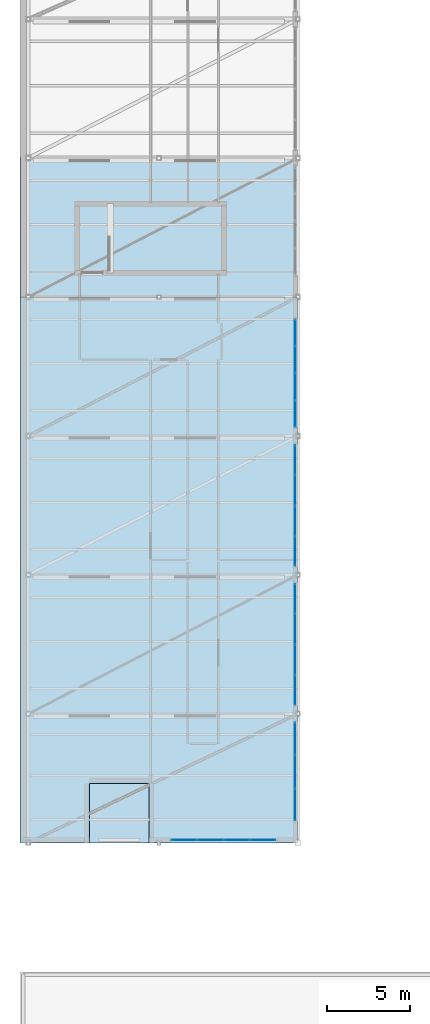
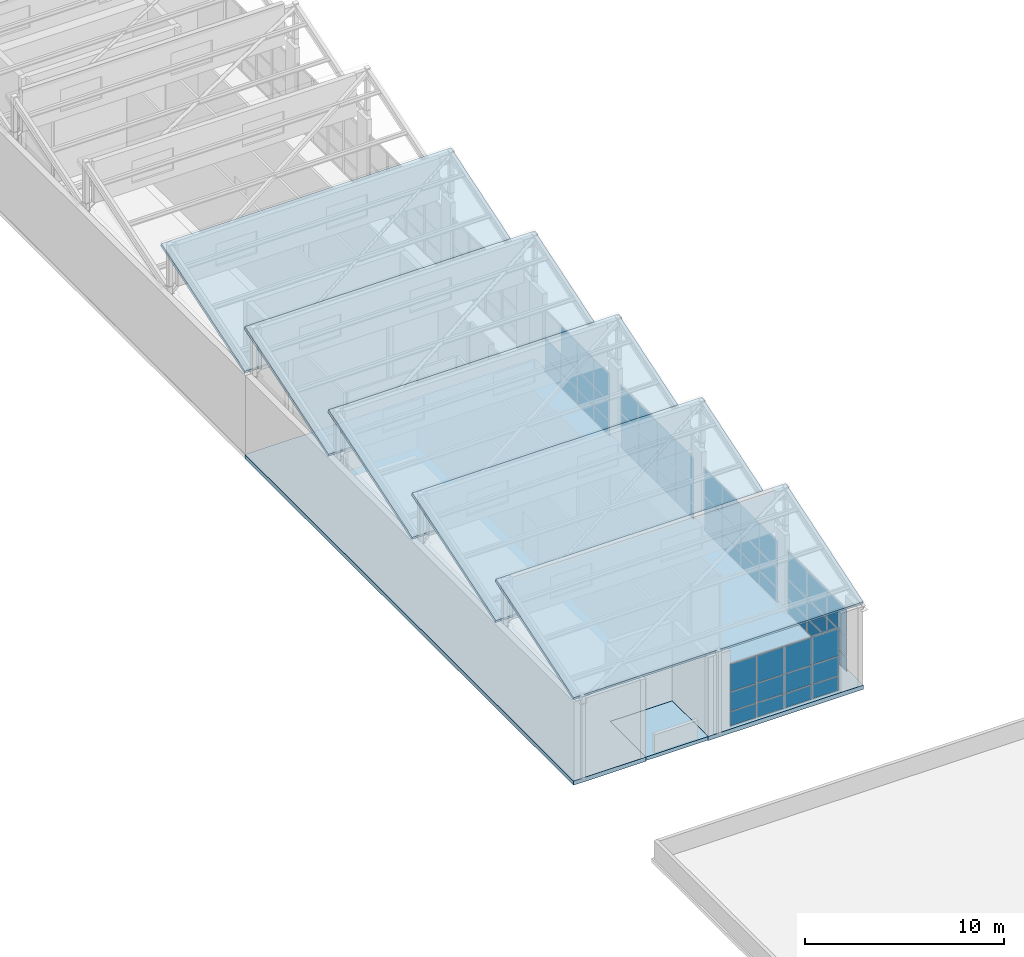
# One storey, part 21 of 34: 56 plates, 7 slabs, 5 elements without a shape of their own.
"""IFC4 building model written with IfcOpenShell, lengths in metres."""

from ifc_helpers import new_model, si_unit, direction, frame, origin, origin_2d, place, context, subcontext, project, spatial, polyline, rectangle, outline, extrude, material, layer, layer_set, type_object, element, aggregate, save


model = new_model("IFC4")

# Units and contexts
model_context = context("Model", 3, precision=1e-05, world=origin(), true_north=direction((0.0, 1.0)))
body_context = subcontext(model_context, "Body", "Model", "MODEL_VIEW")
ifc_project = project(units=[si_unit("LENGTHUNIT", "METRE"), si_unit("AREAUNIT", "SQUARE_METRE"), si_unit("VOLUMEUNIT", "CUBIC_METRE"), si_unit("PLANEANGLEUNIT", "RADIAN"), si_unit("MASSUNIT", "GRAM", prefix="KILO")], contexts=[model_context])

# Site, building, storey
site_placement = place(None, origin())
site = spatial("IfcSite", under=ifc_project, at=site_placement, CompositionType="ELEMENT")
building_placement = place(site_placement, origin())
building = spatial("IfcBuilding", under=site, at=building_placement, Name="Quendrovan Civic Courthouse", CompositionType="ELEMENT")
storey_placement = place(building_placement, frame((0.0, 0.0, 25.5)))
storey = spatial("IfcBuildingStorey", under=building, at=storey_placement, Name="L06", CompositionType="ELEMENT", Elevation=25.5)

# Curtain wall, plates
ifc_material_1 = material(Name="Bronze anodised aluminium and low-E glass", Category="aluminium")
ifc_layer_1 = layer(ifc_material_1, 0.179931640625, Name="Bronze anodised aluminium and low-E glass")
ifc_layer_set_1 = layer_set([ifc_layer_1], Name="Bronze anodised aluminium and low-E glass")
curtain_wall_type_1 = type_object("IfcCurtainWallType", Name="CW-U74x39", PredefinedType="USERDEFINED", material=ifc_layer_set_1)
curtain_wall_1_placement = place(storey_placement, origin())
curtain_wall_1 = element("IfcCurtainWall", 1, at=curtain_wall_1_placement, inside=storey, type_object=curtain_wall_type_1, Name="L06 Unitised Hurricane Curtain Wall CW-212", ObjectType="UNITISED CURTAIN WALL", PredefinedType="USERDEFINED")
ifc_material_2 = material(Name="Laminated hurricane-impact low-E glass", Category="glass")
ifc_layer_2 = layer(ifc_material_2, 0.028076171875, Name="Laminated hurricane-impact low-E glass")
ifc_layer_set_2 = layer_set([ifc_layer_2], Name="Laminated hurricane-impact low-E glass")
plate_type_1 = type_object("IfcPlateType", Name="CW-PNL-1", PredefinedType="CURTAIN_PANEL", material=ifc_layer_set_2)
plate_1_placement = place(storey_placement, frame((16.635009765625, 46.555908203125, 0.06982421875), z_axis=(0.0, 0.0, 1.0), x_axis=(0.0, -1.0, 0.0)))
plate_1 = element("IfcPlate", 2, at=plate_1_placement, type_object=plate_type_1, Name="CW-212 panel 1.1", PredefinedType="CURTAIN_PANEL", context=body_context, shape_type="SweptSolid", body=[
    extrude(rectangle(XDim=1.748291015625, YDim=0.028076171875, at=origin_2d()), origin(), (0.0, 0.0, 1.0), 0.844970703125),
])
plate_2_placement = place(storey_placement, frame((16.635009765625, 46.555908203125, 0.985107421875), z_axis=(0.0, 0.0, 1.0), x_axis=(0.0, -1.0, 0.0)))
plate_2 = element("IfcPlate", 3, at=plate_2_placement, type_object=plate_type_1, Name="CW-212 panel 1.2", PredefinedType="CURTAIN_PANEL", context=body_context, shape_type="SweptSolid", body=[
    extrude(rectangle(XDim=1.748291015625, YDim=0.028076171875, at=origin_2d()), origin(), (0.0, 0.0, 1.0), 1.1298828125),
])
plate_3_placement = place(storey_placement, frame((16.635009765625, 46.555908203125, 2.18505859375), z_axis=(0.0, 0.0, 1.0), x_axis=(0.0, -1.0, 0.0)))
plate_3 = element("IfcPlate", 4, at=plate_3_placement, type_object=plate_type_1, Name="CW-212 panel 1.3", PredefinedType="CURTAIN_PANEL", context=body_context, shape_type="SweptSolid", body=[
    extrude(rectangle(XDim=1.748291015625, YDim=0.028076171875, at=origin_2d()), origin(), (0.0, 0.0, 1.0), 1.64501953125),
])
plate_4_placement = place(storey_placement, frame((16.635009765625, 44.719970703125, 0.06982421875), z_axis=(0.0, 0.0, 1.0), x_axis=(0.0, -1.0, 0.0)))
plate_4 = element("IfcPlate", 5, at=plate_4_placement, type_object=plate_type_1, Name="CW-212 panel 2.1", PredefinedType="CURTAIN_PANEL", context=body_context, shape_type="SweptSolid", body=[
    extrude(rectangle(XDim=1.783447265625, YDim=0.028076171875, at=origin_2d()), origin(), (0.0, 0.0, 1.0), 0.844970703125),
])
plate_5_placement = place(storey_placement, frame((16.635009765625, 44.719970703125, 0.985107421875), z_axis=(0.0, 0.0, 1.0), x_axis=(0.0, -1.0, 0.0)))
plate_5 = element("IfcPlate", 6, at=plate_5_placement, type_object=plate_type_1, Name="CW-212 panel 2.2", PredefinedType="CURTAIN_PANEL", context=body_context, shape_type="SweptSolid", body=[
    extrude(rectangle(XDim=1.783447265625, YDim=0.028076171875, at=origin_2d()), origin(), (0.0, 0.0, 1.0), 1.1298828125),
])
plate_6_placement = place(storey_placement, frame((16.635009765625, 44.719970703125, 2.18505859375), z_axis=(0.0, 0.0, 1.0), x_axis=(0.0, -1.0, 0.0)))
plate_6 = element("IfcPlate", 7, at=plate_6_placement, type_object=plate_type_1, Name="CW-212 panel 2.3", PredefinedType="CURTAIN_PANEL", context=body_context, shape_type="SweptSolid", body=[
    extrude(rectangle(XDim=1.783447265625, YDim=0.028076171875, at=origin_2d()), origin(), (0.0, 0.0, 1.0), 1.64501953125),
])
plate_7_placement = place(storey_placement, frame((16.635009765625, 42.866455078125, 0.06982421875), z_axis=(0.0, 0.0, 1.0), x_axis=(0.0, -1.0, 0.0)))
plate_7 = element("IfcPlate", 8, at=plate_7_placement, type_object=plate_type_1, Name="CW-212 panel 3.1", PredefinedType="CURTAIN_PANEL", context=body_context, shape_type="SweptSolid", body=[
    extrude(rectangle(XDim=1.783447265625, YDim=0.028076171875, at=origin_2d()), origin(), (0.0, 0.0, 1.0), 0.844970703125),
])
plate_8_placement = place(storey_placement, frame((16.635009765625, 42.866455078125, 0.985107421875), z_axis=(0.0, 0.0, 1.0), x_axis=(0.0, -1.0, 0.0)))
plate_8 = element("IfcPlate", 9, at=plate_8_placement, type_object=plate_type_1, Name="CW-212 panel 3.2", PredefinedType="CURTAIN_PANEL", context=body_context, shape_type="SweptSolid", body=[
    extrude(rectangle(XDim=1.783447265625, YDim=0.028076171875, at=origin_2d()), origin(), (0.0, 0.0, 1.0), 1.1298828125),
])
plate_9_placement = place(storey_placement, frame((16.635009765625, 42.866455078125, 2.18505859375), z_axis=(0.0, 0.0, 1.0), x_axis=(0.0, -1.0, 0.0)))
plate_9 = element("IfcPlate", 10, at=plate_9_placement, type_object=plate_type_1, Name="CW-212 panel 3.3", PredefinedType="CURTAIN_PANEL", context=body_context, shape_type="SweptSolid", body=[
    extrude(rectangle(XDim=1.783447265625, YDim=0.028076171875, at=origin_2d()), origin(), (0.0, 0.0, 1.0), 1.64501953125),
])
plate_10_placement = place(storey_placement, frame((16.635009765625, 41.03076171875, 0.06982421875), z_axis=(0.0, 0.0, 1.0), x_axis=(0.0, -1.0, 0.0)))
plate_10 = element("IfcPlate", 11, at=plate_10_placement, type_object=plate_type_1, Name="CW-212 panel 4.1", PredefinedType="CURTAIN_PANEL", context=body_context, shape_type="SweptSolid", body=[
    extrude(rectangle(XDim=1.748291015625, YDim=0.028076171875, at=origin_2d()), origin(), (0.0, 0.0, 1.0), 0.844970703125),
])
plate_11_placement = place(storey_placement, frame((16.635009765625, 41.03076171875, 0.985107421875), z_axis=(0.0, 0.0, 1.0), x_axis=(0.0, -1.0, 0.0)))
plate_11 = element("IfcPlate", 12, at=plate_11_placement, type_object=plate_type_1, Name="CW-212 panel 4.2", PredefinedType="CURTAIN_PANEL", context=body_context, shape_type="SweptSolid", body=[
    extrude(rectangle(XDim=1.748291015625, YDim=0.028076171875, at=origin_2d()), origin(), (0.0, 0.0, 1.0), 1.1298828125),
])
plate_12_placement = place(storey_placement, frame((16.635009765625, 41.03076171875, 2.18505859375), z_axis=(0.0, 0.0, 1.0), x_axis=(0.0, -1.0, 0.0)))
plate_12 = element("IfcPlate", 13, at=plate_12_placement, type_object=plate_type_1, Name="CW-212 panel 4.3", PredefinedType="CURTAIN_PANEL", context=body_context, shape_type="SweptSolid", body=[
    extrude(rectangle(XDim=1.748291015625, YDim=0.028076171875, at=origin_2d()), origin(), (0.0, 0.0, 1.0), 1.64501953125),
])
aggregate(curtain_wall_1, [plate_1, plate_2, plate_3, plate_4, plate_5, plate_6, plate_7, plate_8, plate_9, plate_10, plate_11, plate_12])

curtain_wall_2_placement = place(storey_placement, origin())
curtain_wall_2 = element("IfcCurtainWall", 14, at=curtain_wall_2_placement, inside=storey, type_object=curtain_wall_type_1, Name="L06 Unitised Hurricane Curtain Wall CW-213", ObjectType="UNITISED CURTAIN WALL", PredefinedType="USERDEFINED")
ifc_layer_3 = layer(ifc_material_2, 0.031982421875, Name="Laminated hurricane-impact low-E glass")
ifc_layer_set_3 = layer_set([ifc_layer_3], Name="Laminated hurricane-impact low-E glass")
plate_type_2 = type_object("IfcPlateType", Name="CW-PNL-2", PredefinedType="CURTAIN_PANEL", material=ifc_layer_set_3)
plate_13_placement = place(storey_placement, frame((16.635009765625, 38.16748046875, 0.06494140625), z_axis=(0.0, 0.0, 1.0), x_axis=(0.0, -1.0, 0.0)))
plate_13 = element("IfcPlate", 15, at=plate_13_placement, type_object=plate_type_2, Name="CW-213 panel 1.1", PredefinedType="CURTAIN_PANEL", context=body_context, shape_type="SweptSolid", body=[
    extrude(rectangle(XDim=1.76220703125, YDim=0.031982421875, at=origin_2d()), origin(), (0.0, 0.0, 1.0), 0.8525390625),
])
plate_14_placement = place(storey_placement, frame((16.635009765625, 38.16748046875, 0.982421875), z_axis=(0.0, 0.0, 1.0), x_axis=(0.0, -1.0, 0.0)))
plate_14 = element("IfcPlate", 16, at=plate_14_placement, type_object=plate_type_2, Name="CW-213 panel 1.2", PredefinedType="CURTAIN_PANEL", context=body_context, shape_type="SweptSolid", body=[
    extrude(rectangle(XDim=1.76220703125, YDim=0.031982421875, at=origin_2d()), origin(), (0.0, 0.0, 1.0), 1.135009765625),
])
plate_15_placement = place(storey_placement, frame((16.635009765625, 38.16748046875, 2.1826171875), z_axis=(0.0, 0.0, 1.0), x_axis=(0.0, -1.0, 0.0)))
plate_15 = element("IfcPlate", 17, at=plate_15_placement, type_object=plate_type_2, Name="CW-213 panel 1.3", PredefinedType="CURTAIN_PANEL", context=body_context, shape_type="SweptSolid", body=[
    extrude(rectangle(XDim=1.76220703125, YDim=0.031982421875, at=origin_2d()), origin(), (0.0, 0.0, 1.0), 1.652587890625),
])
plate_16_placement = place(storey_placement, frame((16.635009765625, 36.323974609375, 0.06494140625), z_axis=(0.0, 0.0, 1.0), x_axis=(0.0, -1.0, 0.0)))
plate_16 = element("IfcPlate", 18, at=plate_16_placement, type_object=plate_type_2, Name="CW-213 panel 2.1", PredefinedType="CURTAIN_PANEL", context=body_context, shape_type="SweptSolid", body=[
    extrude(rectangle(XDim=1.794677734375, YDim=0.031982421875, at=origin_2d()), origin(), (0.0, 0.0, 1.0), 0.8525390625),
])
plate_17_placement = place(storey_placement, frame((16.635009765625, 36.323974609375, 0.982421875), z_axis=(0.0, 0.0, 1.0), x_axis=(0.0, -1.0, 0.0)))
plate_17 = element("IfcPlate", 19, at=plate_17_placement, type_object=plate_type_2, Name="CW-213 panel 2.2", PredefinedType="CURTAIN_PANEL", context=body_context, shape_type="SweptSolid", body=[
    extrude(rectangle(XDim=1.794677734375, YDim=0.031982421875, at=origin_2d()), origin(), (0.0, 0.0, 1.0), 1.135009765625),
])
plate_18_placement = place(storey_placement, frame((16.635009765625, 36.323974609375, 2.1826171875), z_axis=(0.0, 0.0, 1.0), x_axis=(0.0, -1.0, 0.0)))
plate_18 = element("IfcPlate", 20, at=plate_18_placement, type_object=plate_type_2, Name="CW-213 panel 2.3", PredefinedType="CURTAIN_PANEL", context=body_context, shape_type="SweptSolid", body=[
    extrude(rectangle(XDim=1.794677734375, YDim=0.031982421875, at=origin_2d()), origin(), (0.0, 0.0, 1.0), 1.652587890625),
])
plate_19_placement = place(storey_placement, frame((16.635009765625, 34.46435546875, 0.06494140625), z_axis=(0.0, 0.0, 1.0), x_axis=(0.0, -1.0, 0.0)))
plate_19 = element("IfcPlate", 21, at=plate_19_placement, type_object=plate_type_2, Name="CW-213 panel 3.1", PredefinedType="CURTAIN_PANEL", context=body_context, shape_type="SweptSolid", body=[
    extrude(rectangle(XDim=1.794677734375, YDim=0.031982421875, at=origin_2d()), origin(), (0.0, 0.0, 1.0), 0.8525390625),
])
plate_20_placement = place(storey_placement, frame((16.635009765625, 34.46435546875, 0.982421875), z_axis=(0.0, 0.0, 1.0), x_axis=(0.0, -1.0, 0.0)))
plate_20 = element("IfcPlate", 22, at=plate_20_placement, type_object=plate_type_2, Name="CW-213 panel 3.2", PredefinedType="CURTAIN_PANEL", context=body_context, shape_type="SweptSolid", body=[
    extrude(rectangle(XDim=1.794677734375, YDim=0.031982421875, at=origin_2d()), origin(), (0.0, 0.0, 1.0), 1.135009765625),
])
plate_21_placement = place(storey_placement, frame((16.635009765625, 34.46435546875, 2.1826171875), z_axis=(0.0, 0.0, 1.0), x_axis=(0.0, -1.0, 0.0)))
plate_21 = element("IfcPlate", 23, at=plate_21_placement, type_object=plate_type_2, Name="CW-213 panel 3.3", PredefinedType="CURTAIN_PANEL", context=body_context, shape_type="SweptSolid", body=[
    extrude(rectangle(XDim=1.794677734375, YDim=0.031982421875, at=origin_2d()), origin(), (0.0, 0.0, 1.0), 1.652587890625),
])
plate_22_placement = place(storey_placement, frame((16.635009765625, 32.62109375, 0.06494140625), z_axis=(0.0, 0.0, 1.0), x_axis=(0.0, -1.0, 0.0)))
plate_22 = element("IfcPlate", 24, at=plate_22_placement, type_object=plate_type_2, Name="CW-213 panel 4.1", PredefinedType="CURTAIN_PANEL", context=body_context, shape_type="SweptSolid", body=[
    extrude(rectangle(XDim=1.76220703125, YDim=0.031982421875, at=origin_2d()), origin(), (0.0, 0.0, 1.0), 0.8525390625),
])
plate_23_placement = place(storey_placement, frame((16.635009765625, 32.62109375, 0.982421875), z_axis=(0.0, 0.0, 1.0), x_axis=(0.0, -1.0, 0.0)))
plate_23 = element("IfcPlate", 25, at=plate_23_placement, type_object=plate_type_2, Name="CW-213 panel 4.2", PredefinedType="CURTAIN_PANEL", context=body_context, shape_type="SweptSolid", body=[
    extrude(rectangle(XDim=1.76220703125, YDim=0.031982421875, at=origin_2d()), origin(), (0.0, 0.0, 1.0), 1.135009765625),
])
plate_24_placement = place(storey_placement, frame((16.635009765625, 32.62109375, 2.1826171875), z_axis=(0.0, 0.0, 1.0), x_axis=(0.0, -1.0, 0.0)))
plate_24 = element("IfcPlate", 26, at=plate_24_placement, type_object=plate_type_2, Name="CW-213 panel 4.3", PredefinedType="CURTAIN_PANEL", context=body_context, shape_type="SweptSolid", body=[
    extrude(rectangle(XDim=1.76220703125, YDim=0.031982421875, at=origin_2d()), origin(), (0.0, 0.0, 1.0), 1.652587890625),
])
aggregate(curtain_wall_2, [plate_13, plate_14, plate_15, plate_16, plate_17, plate_18, plate_19, plate_20, plate_21, plate_22, plate_23, plate_24])

ifc_layer_4 = layer(ifc_material_1, 0.179931640625, Name="Bronze anodised aluminium and low-E glass")
ifc_layer_set_4 = layer_set([ifc_layer_4], Name="Bronze anodised aluminium and low-E glass")
curtain_wall_type_2 = type_object("IfcCurtainWallType", Name="CW-U60x39", PredefinedType="USERDEFINED", material=ifc_layer_set_4)
curtain_wall_3_placement = place(storey_placement, origin())
curtain_wall_3 = element("IfcCurtainWall", 27, at=curtain_wall_3_placement, inside=storey, type_object=curtain_wall_type_2, Name="L06 Unitised Hurricane Curtain Wall CW-214", ObjectType="UNITISED CURTAIN WALL", PredefinedType="USERDEFINED")
ifc_layer_5 = layer(ifc_material_2, 0.035888671875, Name="Laminated hurricane-impact low-E glass")
ifc_layer_set_5 = layer_set([ifc_layer_5], Name="Laminated hurricane-impact low-E glass")
plate_type_3 = type_object("IfcPlateType", Name="CW-PNL-3", PredefinedType="CURTAIN_PANEL", material=ifc_layer_set_5)
plate_25_placement = place(storey_placement, frame((16.635009765625, 29.703369140625, 0.06982421875), z_axis=(0.0, 0.0, 1.0), x_axis=(0.0, -1.0, 0.0)))
plate_25 = element("IfcPlate", 28, at=plate_25_placement, type_object=plate_type_3, Name="CW-214 panel 1.1", PredefinedType="CURTAIN_PANEL", context=body_context, shape_type="SweptSolid", body=[
    extrude(rectangle(XDim=1.9033203125, YDim=0.035888671875, at=origin_2d()), origin(), (0.0, 0.0, 1.0), 0.844970703125),
])
plate_26_placement = place(storey_placement, frame((16.635009765625, 29.703369140625, 0.985107421875), z_axis=(0.0, 0.0, 1.0), x_axis=(0.0, -1.0, 0.0)))
plate_26 = element("IfcPlate", 29, at=plate_26_placement, type_object=plate_type_3, Name="CW-214 panel 1.2", PredefinedType="CURTAIN_PANEL", context=body_context, shape_type="SweptSolid", body=[
    extrude(rectangle(XDim=1.9033203125, YDim=0.035888671875, at=origin_2d()), origin(), (0.0, 0.0, 1.0), 1.1298828125),
])
plate_27_placement = place(storey_placement, frame((16.635009765625, 29.703369140625, 2.18505859375), z_axis=(0.0, 0.0, 1.0), x_axis=(0.0, -1.0, 0.0)))
plate_27 = element("IfcPlate", 30, at=plate_27_placement, type_object=plate_type_3, Name="CW-214 panel 1.3", PredefinedType="CURTAIN_PANEL", context=body_context, shape_type="SweptSolid", body=[
    extrude(rectangle(XDim=1.9033203125, YDim=0.035888671875, at=origin_2d()), origin(), (0.0, 0.0, 1.0), 1.64501953125),
])
plate_28_placement = place(storey_placement, frame((16.635009765625, 27.71240234375, 0.06982421875), z_axis=(0.0, 0.0, 1.0), x_axis=(0.0, -1.0, 0.0)))
plate_28 = element("IfcPlate", 31, at=plate_28_placement, type_object=plate_type_3, Name="CW-214 panel 2.1", PredefinedType="CURTAIN_PANEL", context=body_context, shape_type="SweptSolid", body=[
    extrude(rectangle(XDim=1.938232421875, YDim=0.035888671875, at=origin_2d()), origin(), (0.0, 0.0, 1.0), 0.844970703125),
])
plate_29_placement = place(storey_placement, frame((16.635009765625, 27.71240234375, 0.985107421875), z_axis=(0.0, 0.0, 1.0), x_axis=(0.0, -1.0, 0.0)))
plate_29 = element("IfcPlate", 32, at=plate_29_placement, type_object=plate_type_3, Name="CW-214 panel 2.2", PredefinedType="CURTAIN_PANEL", context=body_context, shape_type="SweptSolid", body=[
    extrude(rectangle(XDim=1.938232421875, YDim=0.035888671875, at=origin_2d()), origin(), (0.0, 0.0, 1.0), 1.1298828125),
])
plate_30_placement = place(storey_placement, frame((16.635009765625, 27.71240234375, 2.18505859375), z_axis=(0.0, 0.0, 1.0), x_axis=(0.0, -1.0, 0.0)))
plate_30 = element("IfcPlate", 33, at=plate_30_placement, type_object=plate_type_3, Name="CW-214 panel 2.3", PredefinedType="CURTAIN_PANEL", context=body_context, shape_type="SweptSolid", body=[
    extrude(rectangle(XDim=1.938232421875, YDim=0.035888671875, at=origin_2d()), origin(), (0.0, 0.0, 1.0), 1.64501953125),
])
plate_31_placement = place(storey_placement, frame((16.635009765625, 25.7216796875, 0.06982421875), z_axis=(0.0, 0.0, 1.0), x_axis=(0.0, -1.0, 0.0)))
plate_31 = element("IfcPlate", 34, at=plate_31_placement, type_object=plate_type_3, Name="CW-214 panel 3.1", PredefinedType="CURTAIN_PANEL", context=body_context, shape_type="SweptSolid", body=[
    extrude(rectangle(XDim=1.9033203125, YDim=0.035888671875, at=origin_2d()), origin(), (0.0, 0.0, 1.0), 0.844970703125),
])
plate_32_placement = place(storey_placement, frame((16.635009765625, 25.7216796875, 0.985107421875), z_axis=(0.0, 0.0, 1.0), x_axis=(0.0, -1.0, 0.0)))
plate_32 = element("IfcPlate", 35, at=plate_32_placement, type_object=plate_type_3, Name="CW-214 panel 3.2", PredefinedType="CURTAIN_PANEL", context=body_context, shape_type="SweptSolid", body=[
    extrude(rectangle(XDim=1.9033203125, YDim=0.035888671875, at=origin_2d()), origin(), (0.0, 0.0, 1.0), 1.1298828125),
])
plate_33_placement = place(storey_placement, frame((16.635009765625, 25.7216796875, 2.18505859375), z_axis=(0.0, 0.0, 1.0), x_axis=(0.0, -1.0, 0.0)))
plate_33 = element("IfcPlate", 36, at=plate_33_placement, type_object=plate_type_3, Name="CW-214 panel 3.3", PredefinedType="CURTAIN_PANEL", context=body_context, shape_type="SweptSolid", body=[
    extrude(rectangle(XDim=1.9033203125, YDim=0.035888671875, at=origin_2d()), origin(), (0.0, 0.0, 1.0), 1.64501953125),
])
aggregate(curtain_wall_3, [plate_25, plate_26, plate_27, plate_28, plate_29, plate_30, plate_31, plate_32, plate_33])

ifc_layer_6 = layer(ifc_material_1, 0.179931640625, Name="Bronze anodised aluminium and low-E glass")
ifc_layer_set_6 = layer_set([ifc_layer_6], Name="Bronze anodised aluminium and low-E glass")
curtain_wall_type_3 = type_object("IfcCurtainWallType", Name="CW-U66x39", PredefinedType="USERDEFINED", material=ifc_layer_set_6)
curtain_wall_4_placement = place(storey_placement, origin())
curtain_wall_4 = element("IfcCurtainWall", 37, at=curtain_wall_4_placement, inside=storey, type_object=curtain_wall_type_3, Name="L06 Unitised Hurricane Curtain Wall CW-211", ObjectType="UNITISED CURTAIN WALL", PredefinedType="USERDEFINED")
ifc_layer_7 = layer(ifc_material_2, 0.0419921875, Name="Laminated hurricane-impact low-E glass")
ifc_layer_set_7 = layer_set([ifc_layer_7], Name="Laminated hurricane-impact low-E glass")
plate_type_4 = type_object("IfcPlateType", Name="CW-PNL-4", PredefinedType="CURTAIN_PANEL", material=ifc_layer_set_7)
plate_34_placement = place(storey_placement, frame((16.635009765625, 54.2587890625, 0.06494140625), z_axis=(0.0, 0.0, 1.0), x_axis=(0.0, -1.0, 0.0)))
plate_34 = element("IfcPlate", 38, at=plate_34_placement, type_object=plate_type_4, Name="CW-211 panel 1.1", PredefinedType="CURTAIN_PANEL", context=body_context, shape_type="SweptSolid", body=[
    extrude(rectangle(XDim=1.552490234375, YDim=0.0419921875, at=origin_2d()), origin(), (0.0, 0.0, 1.0), 0.8525390625),
])
plate_35_placement = place(storey_placement, frame((16.635009765625, 54.2587890625, 0.982421875), z_axis=(0.0, 0.0, 1.0), x_axis=(0.0, -1.0, 0.0)))
plate_35 = element("IfcPlate", 39, at=plate_35_placement, type_object=plate_type_4, Name="CW-211 panel 1.2", PredefinedType="CURTAIN_PANEL", context=body_context, shape_type="SweptSolid", body=[
    extrude(rectangle(XDim=1.552490234375, YDim=0.0419921875, at=origin_2d()), origin(), (0.0, 0.0, 1.0), 1.135009765625),
])
plate_36_placement = place(storey_placement, frame((16.635009765625, 52.625, 0.06494140625), z_axis=(0.0, 0.0, 1.0), x_axis=(0.0, -1.0, 0.0)))
plate_36 = element("IfcPlate", 40, at=plate_36_placement, type_object=plate_type_4, Name="CW-211 panel 2.1", PredefinedType="CURTAIN_PANEL", context=body_context, shape_type="SweptSolid", body=[
    extrude(rectangle(XDim=1.5849609375, YDim=0.0419921875, at=origin_2d()), origin(), (0.0, 0.0, 1.0), 0.8525390625),
])
plate_37_placement = place(storey_placement, frame((16.635009765625, 52.625, 0.982421875), z_axis=(0.0, 0.0, 1.0), x_axis=(0.0, -1.0, 0.0)))
plate_37 = element("IfcPlate", 41, at=plate_37_placement, type_object=plate_type_4, Name="CW-211 panel 2.2", PredefinedType="CURTAIN_PANEL", context=body_context, shape_type="SweptSolid", body=[
    extrude(rectangle(XDim=1.5849609375, YDim=0.0419921875, at=origin_2d()), origin(), (0.0, 0.0, 1.0), 1.135009765625),
])
plate_38_placement = place(storey_placement, frame((16.635009765625, 52.625, 2.1826171875), z_axis=(0.0, 0.0, 1.0), x_axis=(0.0, -1.0, 0.0)))
plate_38 = element("IfcPlate", 42, at=plate_38_placement, type_object=plate_type_4, Name="CW-211 panel 2.3", PredefinedType="CURTAIN_PANEL", context=body_context, shape_type="SweptSolid", body=[
    extrude(rectangle(XDim=1.5849609375, YDim=0.0419921875, at=origin_2d()), origin(), (0.0, 0.0, 1.0), 1.652587890625),
])
plate_39_placement = place(storey_placement, frame((16.635009765625, 50.97509765625, 0.06494140625), z_axis=(0.0, 0.0, 1.0), x_axis=(0.0, -1.0, 0.0)))
plate_39 = element("IfcPlate", 43, at=plate_39_placement, type_object=plate_type_4, Name="CW-211 panel 3.1", PredefinedType="CURTAIN_PANEL", context=body_context, shape_type="SweptSolid", body=[
    extrude(rectangle(XDim=1.5849609375, YDim=0.0419921875, at=origin_2d()), origin(), (0.0, 0.0, 1.0), 0.8525390625),
])
plate_40_placement = place(storey_placement, frame((16.635009765625, 50.97509765625, 0.982421875), z_axis=(0.0, 0.0, 1.0), x_axis=(0.0, -1.0, 0.0)))
plate_40 = element("IfcPlate", 44, at=plate_40_placement, type_object=plate_type_4, Name="CW-211 panel 3.2", PredefinedType="CURTAIN_PANEL", context=body_context, shape_type="SweptSolid", body=[
    extrude(rectangle(XDim=1.5849609375, YDim=0.0419921875, at=origin_2d()), origin(), (0.0, 0.0, 1.0), 1.135009765625),
])
plate_41_placement = place(storey_placement, frame((16.635009765625, 50.97509765625, 2.1826171875), z_axis=(0.0, 0.0, 1.0), x_axis=(0.0, -1.0, 0.0)))
plate_41 = element("IfcPlate", 45, at=plate_41_placement, type_object=plate_type_4, Name="CW-211 panel 3.3", PredefinedType="CURTAIN_PANEL", context=body_context, shape_type="SweptSolid", body=[
    extrude(rectangle(XDim=1.5849609375, YDim=0.0419921875, at=origin_2d()), origin(), (0.0, 0.0, 1.0), 1.652587890625),
])
plate_42_placement = place(storey_placement, frame((16.635009765625, 49.34130859375, 0.06494140625), z_axis=(0.0, 0.0, 1.0), x_axis=(0.0, -1.0, 0.0)))
plate_42 = element("IfcPlate", 46, at=plate_42_placement, type_object=plate_type_4, Name="CW-211 panel 4.1", PredefinedType="CURTAIN_PANEL", context=body_context, shape_type="SweptSolid", body=[
    extrude(rectangle(XDim=1.552490234375, YDim=0.0419921875, at=origin_2d()), origin(), (0.0, 0.0, 1.0), 0.8525390625),
])
plate_43_placement = place(storey_placement, frame((16.635009765625, 49.34130859375, 0.982421875), z_axis=(0.0, 0.0, 1.0), x_axis=(0.0, -1.0, 0.0)))
plate_43 = element("IfcPlate", 47, at=plate_43_placement, type_object=plate_type_4, Name="CW-211 panel 4.2", PredefinedType="CURTAIN_PANEL", context=body_context, shape_type="SweptSolid", body=[
    extrude(rectangle(XDim=1.552490234375, YDim=0.0419921875, at=origin_2d()), origin(), (0.0, 0.0, 1.0), 1.135009765625),
])
plate_44_placement = place(storey_placement, frame((16.635009765625, 49.34130859375, 2.1826171875), z_axis=(0.0, 0.0, 1.0), x_axis=(0.0, -1.0, 0.0)))
plate_44 = element("IfcPlate", 48, at=plate_44_placement, type_object=plate_type_4, Name="CW-211 panel 4.3", PredefinedType="CURTAIN_PANEL", context=body_context, shape_type="SweptSolid", body=[
    extrude(rectangle(XDim=1.552490234375, YDim=0.0419921875, at=origin_2d()), origin(), (0.0, 0.0, 1.0), 1.652587890625),
])
aggregate(curtain_wall_4, [plate_34, plate_35, plate_36, plate_37, plate_38, plate_39, plate_40, plate_41, plate_42, plate_43, plate_44])

ifc_layer_8 = layer(ifc_material_1, 0.179931640625, Name="Bronze anodised aluminium and low-E glass")
ifc_layer_set_8 = layer_set([ifc_layer_8], Name="Bronze anodised aluminium and low-E glass")
curtain_wall_type_4 = type_object("IfcCurtainWallType", Name="CW-U64x39", PredefinedType="USERDEFINED", material=ifc_layer_set_8)
curtain_wall_5_placement = place(storey_placement, origin())
curtain_wall_5 = element("IfcCurtainWall", 49, at=curtain_wall_5_placement, inside=storey, type_object=curtain_wall_type_4, Name="L06 Unitised Hurricane Curtain Wall CW-215", ObjectType="UNITISED CURTAIN WALL", PredefinedType="USERDEFINED")
plate_45_placement = place(storey_placement, frame((14.683837890625, 23.56494140625, 0.06494140625), z_axis=(0.0, 0.0, 1.0), x_axis=(-1.0, 0.0, 0.0)))
plate_45 = element("IfcPlate", 50, at=plate_45_placement, type_object=plate_type_4, Name="CW-215 panel 1.1", PredefinedType="CURTAIN_PANEL", context=body_context, shape_type="SweptSolid", body=[
    extrude(rectangle(XDim=1.50244140625, YDim=0.0419921875, at=origin_2d()), origin(), (0.0, 0.0, 1.0), 0.8525390625),
])
plate_46_placement = place(storey_placement, frame((14.683837890625, 23.56494140625, 0.982421875), z_axis=(0.0, 0.0, 1.0), x_axis=(-1.0, 0.0, 0.0)))
plate_46 = element("IfcPlate", 51, at=plate_46_placement, type_object=plate_type_4, Name="CW-215 panel 1.2", PredefinedType="CURTAIN_PANEL", context=body_context, shape_type="SweptSolid", body=[
    extrude(rectangle(XDim=1.50244140625, YDim=0.0419921875, at=origin_2d()), origin(), (0.0, 0.0, 1.0), 1.135009765625),
])
plate_47_placement = place(storey_placement, frame((14.683837890625, 23.56494140625, 2.1826171875), z_axis=(0.0, 0.0, 1.0), x_axis=(-1.0, 0.0, 0.0)))
plate_47 = element("IfcPlate", 52, at=plate_47_placement, type_object=plate_type_4, Name="CW-215 panel 1.3", PredefinedType="CURTAIN_PANEL", context=body_context, shape_type="SweptSolid", body=[
    extrude(rectangle(XDim=1.50244140625, YDim=0.0419921875, at=origin_2d()), origin(), (0.0, 0.0, 1.0), 1.652587890625),
])
plate_48_placement = place(storey_placement, frame((13.10009765625, 23.56494140625, 0.06494140625), z_axis=(0.0, 0.0, 1.0), x_axis=(-1.0, 0.0, 0.0)))
plate_48 = element("IfcPlate", 53, at=plate_48_placement, type_object=plate_type_4, Name="CW-215 panel 2.1", PredefinedType="CURTAIN_PANEL", context=body_context, shape_type="SweptSolid", body=[
    extrude(rectangle(XDim=1.534912109375, YDim=0.0419921875, at=origin_2d()), origin(), (0.0, 0.0, 1.0), 0.8525390625),
])
plate_49_placement = place(storey_placement, frame((13.10009765625, 23.56494140625, 0.982421875), z_axis=(0.0, 0.0, 1.0), x_axis=(-1.0, 0.0, 0.0)))
plate_49 = element("IfcPlate", 54, at=plate_49_placement, type_object=plate_type_4, Name="CW-215 panel 2.2", PredefinedType="CURTAIN_PANEL", context=body_context, shape_type="SweptSolid", body=[
    extrude(rectangle(XDim=1.534912109375, YDim=0.0419921875, at=origin_2d()), origin(), (0.0, 0.0, 1.0), 1.135009765625),
])
plate_50_placement = place(storey_placement, frame((13.10009765625, 23.56494140625, 2.1826171875), z_axis=(0.0, 0.0, 1.0), x_axis=(-1.0, 0.0, 0.0)))
plate_50 = element("IfcPlate", 55, at=plate_50_placement, type_object=plate_type_4, Name="CW-215 panel 2.3", PredefinedType="CURTAIN_PANEL", context=body_context, shape_type="SweptSolid", body=[
    extrude(rectangle(XDim=1.534912109375, YDim=0.0419921875, at=origin_2d()), origin(), (0.0, 0.0, 1.0), 1.652587890625),
])
plate_51_placement = place(storey_placement, frame((11.5, 23.56494140625, 0.06494140625), z_axis=(0.0, 0.0, 1.0), x_axis=(-1.0, 0.0, 0.0)))
plate_51 = element("IfcPlate", 56, at=plate_51_placement, type_object=plate_type_4, Name="CW-215 panel 3.1", PredefinedType="CURTAIN_PANEL", context=body_context, shape_type="SweptSolid", body=[
    extrude(rectangle(XDim=1.534912109375, YDim=0.0419921875, at=origin_2d()), origin(), (0.0, 0.0, 1.0), 0.8525390625),
])
plate_52_placement = place(storey_placement, frame((11.5, 23.56494140625, 0.982421875), z_axis=(0.0, 0.0, 1.0), x_axis=(-1.0, 0.0, 0.0)))
plate_52 = element("IfcPlate", 57, at=plate_52_placement, type_object=plate_type_4, Name="CW-215 panel 3.2", PredefinedType="CURTAIN_PANEL", context=body_context, shape_type="SweptSolid", body=[
    extrude(rectangle(XDim=1.534912109375, YDim=0.0419921875, at=origin_2d()), origin(), (0.0, 0.0, 1.0), 1.135009765625),
])
plate_53_placement = place(storey_placement, frame((11.5, 23.56494140625, 2.1826171875), z_axis=(0.0, 0.0, 1.0), x_axis=(-1.0, 0.0, 0.0)))
plate_53 = element("IfcPlate", 58, at=plate_53_placement, type_object=plate_type_4, Name="CW-215 panel 3.3", PredefinedType="CURTAIN_PANEL", context=body_context, shape_type="SweptSolid", body=[
    extrude(rectangle(XDim=1.534912109375, YDim=0.0419921875, at=origin_2d()), origin(), (0.0, 0.0, 1.0), 1.652587890625),
])
plate_54_placement = place(storey_placement, frame((9.916259765625, 23.56494140625, 0.06494140625), z_axis=(0.0, 0.0, 1.0), x_axis=(-1.0, 0.0, 0.0)))
plate_54 = element("IfcPlate", 59, at=plate_54_placement, type_object=plate_type_4, Name="CW-215 panel 4.1", PredefinedType="CURTAIN_PANEL", context=body_context, shape_type="SweptSolid", body=[
    extrude(rectangle(XDim=1.50244140625, YDim=0.0419921875, at=origin_2d()), origin(), (0.0, 0.0, 1.0), 0.8525390625),
])
plate_55_placement = place(storey_placement, frame((9.916259765625, 23.56494140625, 0.982421875), z_axis=(0.0, 0.0, 1.0), x_axis=(-1.0, 0.0, 0.0)))
plate_55 = element("IfcPlate", 60, at=plate_55_placement, type_object=plate_type_4, Name="CW-215 panel 4.2", PredefinedType="CURTAIN_PANEL", context=body_context, shape_type="SweptSolid", body=[
    extrude(rectangle(XDim=1.50244140625, YDim=0.0419921875, at=origin_2d()), origin(), (0.0, 0.0, 1.0), 1.135009765625),
])
plate_56_placement = place(storey_placement, frame((9.916259765625, 23.56494140625, 2.1826171875), z_axis=(0.0, 0.0, 1.0), x_axis=(-1.0, 0.0, 0.0)))
plate_56 = element("IfcPlate", 61, at=plate_56_placement, type_object=plate_type_4, Name="CW-215 panel 4.3", PredefinedType="CURTAIN_PANEL", context=body_context, shape_type="SweptSolid", body=[
    extrude(rectangle(XDim=1.50244140625, YDim=0.0419921875, at=origin_2d()), origin(), (0.0, 0.0, 1.0), 1.652587890625),
])
aggregate(curtain_wall_5, [plate_45, plate_46, plate_47, plate_48, plate_49, plate_50, plate_51, plate_52, plate_53, plate_54, plate_55, plate_56])

# Slabs
ifc_material_3 = material(Name="Concrete C40/50", Category="concrete")
ifc_layer_9 = layer(ifc_material_3, 0.219970703125, Name="Concrete C40/50")
ifc_layer_set_9 = layer_set([ifc_layer_9], Name="Concrete C40/50")
slab_type_1 = type_object("IfcSlabType", Name="SLB-RC-220", PredefinedType="ROOF", material=ifc_layer_set_9)
slab_1_placement = place(storey_placement, frame((0.0, 0.0, -0.219970703125)))
element("IfcSlab", 62, at=slab_1_placement, inside=storey, type_object=slab_type_1, Name="L06 Step-Back Structural Roof Slab SLB-ROOF-L06-22", PredefinedType="ROOF", context=body_context, shape_type="SweptSolid", body=[
    extrude(outline(polyline([(4.199951171875, 23.39990234375), (4.199951171875, 27.0), (7.800048828125, 27.0), (7.800048828125, 23.39990234375), (4.199951171875, 23.39990234375)])), origin(), (0.0, 0.0, 1.0), 0.219970703125),
])
ifc_layer_10 = layer(ifc_material_3, 0.260009765625, Name="Concrete C40/50")
ifc_layer_set_10 = layer_set([ifc_layer_10], Name="Concrete C40/50")
slab_type_2 = type_object("IfcSlabType", Name="SLB-RC-260", PredefinedType="FLOOR", material=ifc_layer_set_10)
slab_2_placement = place(storey_placement, frame((0.0, 0.0, -0.260009765625)))
element("IfcSlab", 63, at=slab_2_placement, inside=storey, type_object=slab_type_2, Name="L06 Structural Floor Slab V4S", PredefinedType="FLOOR", context=body_context, shape_type="SweptSolid", body=[
    extrude(outline(polyline([(0.0, 23.39990234375), (0.0, 56.39990234375), (16.800048828125, 56.39990234375), (16.800048828125, 23.39990234375), (7.800048828125, 23.39990234375), (7.800048828125, 27.0), (4.199951171875, 27.0), (4.199951171875, 23.39990234375), (0.0, 23.39990234375)])), origin(), (0.0, 0.0, 1.0), 0.260009765625),
])
ifc_layer_11 = layer(ifc_material_3, 0.179931640625, Name="Concrete C40/50")
ifc_layer_set_11 = layer_set([ifc_layer_11], Name="Concrete C40/50")
slab_type_3 = type_object("IfcSlabType", Name="SLB-SAW-180", PredefinedType="ROOF", material=ifc_layer_set_11)
slab_3_placement = place(storey_placement, frame((0.0, 23.39990234375, 5.10009765625), z_axis=(0.0, -0.309020780749, 0.951055286019), x_axis=(1.0, 0.0, 0.0)))
element("IfcSlab", 64, at=slab_3_placement, inside=storey, type_object=slab_type_3, Name="Law Library Sawtooth Roof Slab Bay 1", PredefinedType="ROOF", context=body_context, shape_type="SweptSolid", body=[
    extrude(outline(polyline([(0.0, 0.0), (16.800048828125, 0.0), (16.800048828125, 8.20146729931309), (0.0, 8.20146729931309), (0.0, 0.0)])), origin(), (0.0, 0.0, -1.0), 0.179931640625),
])
slab_4_placement = place(storey_placement, frame((0.0, 31.199951171875, 5.10009765625), z_axis=(0.0, -0.309004193636, 0.951060675412), x_axis=(1.0, 0.0, 0.0)))
element("IfcSlab", 65, at=slab_4_placement, inside=storey, type_object=slab_type_3, Name="Law Library Sawtooth Roof Slab Bay 2", PredefinedType="ROOF", context=body_context, shape_type="SweptSolid", body=[
    extrude(outline(polyline([(0.0, 0.0), (16.800048828125, 0.0), (16.800048828125, 8.832398080947703), (0.0, 8.832398080947703), (0.0, 0.0)])), origin(), (0.0, 0.0, -1.0), 0.179931640625),
])
for number, where, z_axis, x_axis, name in (
    (66, (0.0, 39.60009765625, 5.10009765625), (0.0, -0.309012317167, 0.951058036), (1.0, 0.0, 0.0), "Law Library Sawtooth Roof Slab Bay 3"),
    (67, (0.0, 48.0, 5.10009765625), (0.0, -0.309012317167, 0.951058036), (1.0, 0.0, 0.0), "Law Library Sawtooth Roof Slab Bay 4"),
):
    element("IfcSlab", number, at=place(storey_placement, frame(where, z_axis=z_axis, x_axis=x_axis)), inside=storey, type_object=slab_type_3, Name=name, PredefinedType="ROOF", context=body_context, shape_type="SweptSolid", body=[
        extrude(outline(polyline([(0.0, 0.0), (16.800048828125, 0.0), (16.800048828125, 8.832165888722184), (0.0, 8.832165888722184), (0.0, 0.0)])), origin(), (0.0, 0.0, -1.0), 0.179931640625),
    ])
slab_5_placement = place(storey_placement, frame((0.0, 56.39990234375, 5.10009765625), z_axis=(0.0, -0.309004193636, 0.951060675412), x_axis=(1.0, 0.0, 0.0)))
element("IfcSlab", 68, at=slab_5_placement, inside=storey, type_object=slab_type_3, Name="Law Library Sawtooth Roof Slab Bay 5", PredefinedType="ROOF", context=body_context, shape_type="SweptSolid", body=[
    extrude(outline(polyline([(0.0, 0.0), (16.800048828125, 0.0), (16.800048828125, 8.832398080947703), (0.0, 8.832398080947703), (0.0, 0.0)])), origin(), (0.0, 0.0, -1.0), 0.179931640625),
])

save(model, "model.ifc")
